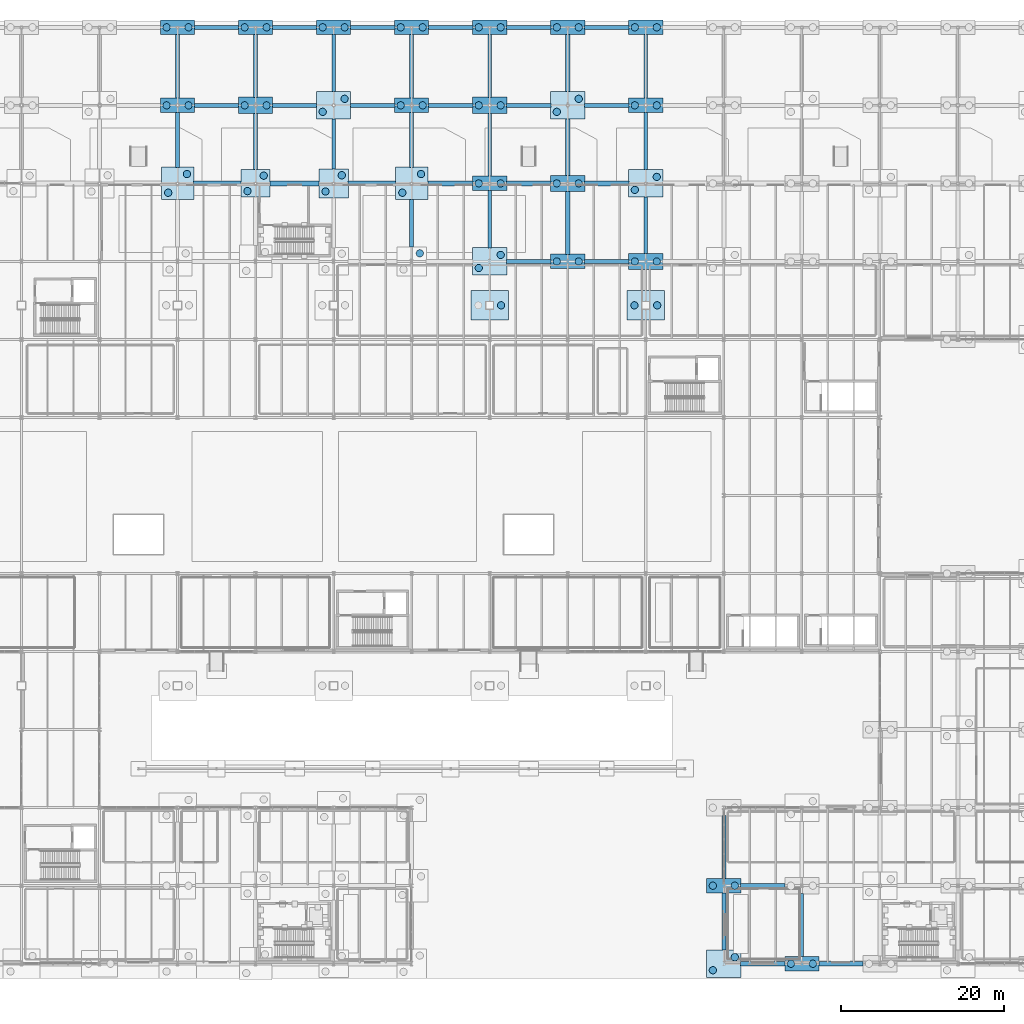
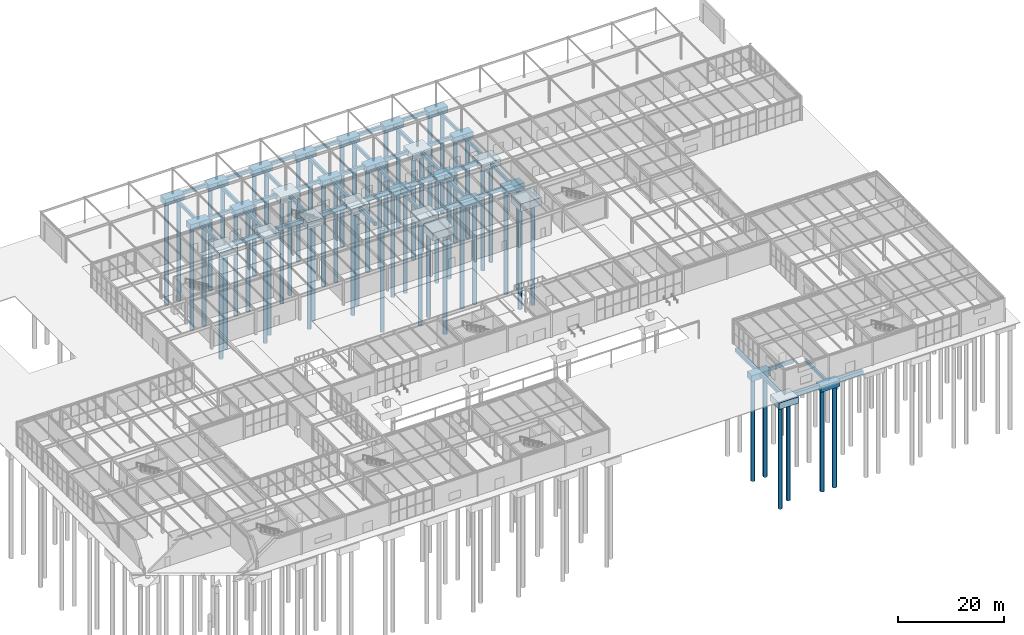
# One storey, part 3 of 142: 73 footings, 58 piles.
"""IFC4 building model written with IfcOpenShell, lengths in metres."""

import ifcopenshell
import ifcopenshell.guid

model = None  # the IFC model being written
_history = None  # IfcOwnerHistory: only IFC2X3 demands one
_inside = {}  # id of a spatial element -> (the spatial element, [elements in it])
_under = {}  # id of a project, library or spatial element -> (it, [spatial elements below it])
_declared = {}  # id of a project -> (the project, [libraries it declares])
_typed = {}  # id of a type object -> (the type object, [elements of that type])
_made_of = {}  # id of a material, layer set ... -> (it, [elements and type objects made of it])


def new_model(schema):
    """Start an empty IFC model of exactly this schema.

    Asked for "IFC4X3", IfcOpenShell would pick the latest addendum, in which some entities
    have other attributes; the version numbers below select the first issue.
    IFC2X3 requires an IfcOwnerHistory on every rooted entity: one is made here for all.
    """
    global model, _history
    if schema == "IFC4X3":
        model = ifcopenshell.file(schema_version=(4, 3, 0, 0))
    else:
        model = ifcopenshell.file(schema=schema)
    _inside.clear()
    _under.clear()
    _declared.clear()
    _typed.clear()
    _made_of.clear()
    _history = None
    if model.schema == "IFC2X3":
        org = make("IfcOrganization", Name="unknown")
        user = make(
            "IfcPersonAndOrganization",
            ThePerson=make("IfcPerson", FamilyName="unknown"),
            TheOrganization=org,
        )
        app = make(
            "IfcApplication",
            ApplicationDeveloper=org,
            Version="unknown",
            ApplicationFullName="unknown",
            ApplicationIdentifier="unknown",
        )
        _history = make(
            "IfcOwnerHistory",
            OwningUser=user,
            OwningApplication=app,
            ChangeAction="ADDED",
            CreationDate=0,
        )
    return model


def make(cls, **values):
    """One entity of the class cls with the attributes given. An attribute that is None is left unset."""
    return model.create_entity(
        cls, **{name: value for name, value in values.items() if value is not None}
    )


def rooted(cls, **values):
    """An entity with a GlobalId (a new one), such as an element, a storey or a relation."""
    return make(cls, GlobalId=ifcopenshell.guid.new(), OwnerHistory=_history, **values)


def si_unit(unit_type, name, prefix=None):
    """IfcSIUnit, for example si_unit("LENGTHUNIT", "METRE", prefix="MILLI")."""
    return make("IfcSIUnit", UnitType=unit_type, Prefix=prefix, Name=name)


def assignment(units):
    """IfcUnitAssignment: the units of a project."""
    return None if units is None else make("IfcUnitAssignment", Units=units)


def point(xyz):
    """IfcCartesianPoint."""
    return None if xyz is None else make("IfcCartesianPoint", Coordinates=xyz)


def direction(xyz):
    """IfcDirection."""
    return None if xyz is None else make("IfcDirection", DirectionRatios=xyz)


def frame(location, z_axis=None, x_axis=None):
    """IfcAxis2Placement3D, a coordinate frame: its origin and axes. An axis left out is left unset."""
    return make(
        "IfcAxis2Placement3D",
        Location=point(location),
        Axis=direction(z_axis),
        RefDirection=direction(x_axis),
    )


def frame_2d(location, x_axis=None):
    """IfcAxis2Placement2D, a coordinate frame in the plane: its origin and x axis."""
    return make(
        "IfcAxis2Placement2D", Location=point(location), RefDirection=direction(x_axis)
    )


def origin():
    """The frame at (0, 0, 0) with its axes left unset."""
    return frame((0.0, 0.0, 0.0))


def origin_2d():
    """The frame at (0, 0) in the plane with its x axis left unset."""
    return frame_2d((0.0, 0.0))


def place(relative_to, where):
    """IfcLocalPlacement: puts the frame where relative to a parent placement (None: the world)."""
    return make(
        "IfcLocalPlacement", PlacementRelTo=relative_to, RelativePlacement=where
    )


def context(
    kind, dimensions, precision=None, world=None, true_north=None, identifier=None
):
    """IfcGeometricRepresentationContext, for example the 3D "Model" context."""
    return make(
        "IfcGeometricRepresentationContext",
        ContextIdentifier=identifier,
        ContextType=kind,
        CoordinateSpaceDimension=dimensions,
        Precision=precision,
        WorldCoordinateSystem=world,
        TrueNorth=true_north,
    )


def subcontext(parent, identifier, kind, view, scale=None):
    """IfcGeometricRepresentationSubContext, for example "Body" below "Model"."""
    return make(
        "IfcGeometricRepresentationSubContext",
        ContextIdentifier=identifier,
        ContextType=kind,
        ParentContext=parent,
        TargetScale=scale,
        TargetView=view,
    )


def project(units=None, contexts=None):
    """IfcProject with its units and contexts."""
    return rooted(
        "IfcProject",
        Name="project",
        RepresentationContexts=contexts,
        UnitsInContext=assignment(units),
    )


def spatial(cls, under=None, at=None, **own):
    """A site, building, storey or space (cls), placed at a placement, below another one or the project."""
    s = rooted(cls, ObjectPlacement=at, **own)
    if under is not None:
        _under.setdefault(under.id(), (under, []))[1].append(s)
    return s


def profile(cls, at=None, kind="AREA", **sizes):
    """A parametric profile (cls). Its sizes go by their IFC names, for example OverallWidth=200.0."""
    return make(cls, ProfileType=kind, Position=at, **sizes)


def rectangle(**sizes):
    """IfcRectangleProfileDef."""
    return profile("IfcRectangleProfileDef", **sizes)


def circle(**sizes):
    """IfcCircleProfileDef."""
    return profile("IfcCircleProfileDef", **sizes)


def extrude(swept, where, along, depth):
    """IfcExtrudedAreaSolid: the profile swept, set in the frame where, extruded along a direction by depth."""
    return make(
        "IfcExtrudedAreaSolid",
        SweptArea=swept,
        Position=where,
        ExtrudedDirection=direction(along),
        Depth=depth,
    )


def shape(context_of_items, identifier, shape_type, items):
    """IfcShapeRepresentation: the items that make up one representation, for example the "Body"."""
    return make(
        "IfcShapeRepresentation",
        ContextOfItems=context_of_items,
        RepresentationIdentifier=identifier,
        RepresentationType=shape_type,
        Items=items,
    )


def material(Name=None, Category=None):
    """IfcMaterial."""
    return make("IfcMaterial", Name=Name, Category=Category)


def material_profile(
    of_material, cross_section, Name=None, Category=None, Priority=None
):
    """IfcMaterialProfile: a cross section and its material."""
    return make(
        "IfcMaterialProfile",
        Name=Name,
        Material=of_material,
        Profile=cross_section,
        Priority=Priority,
        Category=Category,
    )


def profile_set(profiles, Name=None, composite=None):
    """IfcMaterialProfileSet."""
    return make(
        "IfcMaterialProfileSet",
        Name=Name,
        MaterialProfiles=profiles,
        CompositeProfile=composite,
    )


def made_of(thing, what):
    """Note that an element or type object is made of a material, layer set ...; save() writes the relation."""
    if what is not None:
        _made_of.setdefault(what.id(), (what, []))[1].append(thing)
    return thing


def type_object(cls, material=None, **own):
    """A type object (cls), such as IfcWallType, which elements share."""
    return made_of(rooted(cls, **own), material)


def element(
    cls,
    number,
    at=None,
    inside=None,
    cuts=None,
    type_object=None,
    material=None,
    context=None,
    identifier="Body",
    shape_type=None,
    held_by="IfcProductDefinitionShape",
    body=None,
    shapes=None,
    **own,
):
    """One element of the class cls, such as IfcWall. Its Tag is "e" and its number.

    at: its placement. inside: the storey or other place that contains it. cuts: it is an
    opening in that element (IfcRelVoidsElement). A single representation is given by context,
    identifier, shape_type and body (its items); several are given by shapes. held_by: the class
    of the entity that holds the representations. save() writes the other relations.
    """
    e = rooted(cls, Tag="e%d" % number, ObjectPlacement=at, **own)
    if body is not None:
        shapes = [shape(context, identifier, shape_type, body)]
    if shapes is not None:
        e.Representation = make(held_by, Representations=shapes)
    if inside is not None:
        _inside.setdefault(inside.id(), (inside, []))[1].append(e)
    if cuts is not None:
        rooted(
            "IfcRelVoidsElement", RelatingBuildingElement=cuts, RelatedOpeningElement=e
        )
    if type_object is not None:
        _typed.setdefault(type_object.id(), (type_object, []))[1].append(e)
    return made_of(e, material)


def aggregate(whole, parts):
    """IfcRelAggregates: a whole, such as a stair, and the parts it consists of."""
    return rooted("IfcRelAggregates", RelatingObject=whole, RelatedObjects=parts)


def save(model, path):
    """Write the relations noted so far, then the file.

    IfcRelAggregates (storeys below a building ...), IfcRelContainedInSpatialStructure (elements
    in a storey), IfcRelDefinesByType, IfcRelAssociatesMaterial and IfcRelDeclares: one each for
    every whole, place, type object, material and project.
    """
    for whole, parts in _under.values():
        aggregate(whole, parts)
    for where, things in _inside.values():
        rooted(
            "IfcRelContainedInSpatialStructure",
            RelatedElements=things,
            RelatingStructure=where,
        )
    for kind, things in _typed.values():
        rooted("IfcRelDefinesByType", RelatedObjects=things, RelatingType=kind)
    for what, things in _made_of.values():
        rooted("IfcRelAssociatesMaterial", RelatedObjects=things, RelatingMaterial=what)
    for by, libraries in _declared.values():
        rooted("IfcRelDeclares", RelatingContext=by, RelatedDefinitions=libraries)
    model.write(path)


model = new_model("IFC4")

# Units and contexts
model_context = context("Model", 3, precision=1e-05, world=origin(), true_north=direction((0.0, 1.0)))
body_context = subcontext(model_context, "Body", "Model", "MODEL_VIEW")
ifc_project = project(units=[si_unit("LENGTHUNIT", "METRE"), si_unit("AREAUNIT", "SQUARE_METRE"), si_unit("VOLUMEUNIT", "CUBIC_METRE"), si_unit("PLANEANGLEUNIT", "RADIAN"), si_unit("MASSUNIT", "GRAM", prefix="KILO")], contexts=[model_context])

# Site, building, storey
site_placement = place(None, origin())
site = spatial("IfcSite", under=ifc_project, at=site_placement, CompositionType="ELEMENT")
building_placement = place(site_placement, origin())
building = spatial("IfcBuilding", under=site, at=building_placement, Name="Coralgate Yard Interchange", CompositionType="ELEMENT")
storey_placement = place(building_placement, origin())
storey = spatial("IfcBuildingStorey", under=building, at=storey_placement, Name="L00", CompositionType="ELEMENT", Elevation=0.0)

# Footings
ifc_material_1 = material(Name="Concrete C40/50", Category="concrete")
ifc_material_profile_1 = material_profile(ifc_material_1, rectangle(XDim=0.60009765625, YDim=0.89990234375, at=origin_2d()), Name="RC 600x900")
ifc_profile_set_1 = profile_set([ifc_material_profile_1], Name="Concrete C40/50")
footing_type_1 = type_object("IfcFootingType", Name="FTG-GB-1", PredefinedType="FOOTING_BEAM", material=ifc_profile_set_1)
footing_1_placement = place(storey_placement, frame((69.179931640625, 96.0, -0.6298828125), z_axis=(1.0, 0.0, 0.0), x_axis=(0.0, 1.0, 0.0)))
element("IfcFooting", 1, at=footing_1_placement, inside=storey, type_object=footing_type_1, Name="Ground tie-beam X 7-10", PredefinedType="FOOTING_BEAM", context=body_context, shape_type="SweptSolid", body=[
    extrude(rectangle(XDim=0.60009765625, YDim=0.89990234375, at=origin_2d()), origin(), (0.0, 0.0, 1.0), 5.840087890625),
])
footing_2_placement = place(storey_placement, frame((78.580078125, 96.0, -0.6298828125), z_axis=(1.0, 0.0, 0.0), x_axis=(0.0, 1.0, 0.0)))
element("IfcFooting", 2, at=footing_2_placement, inside=storey, type_object=footing_type_1, Name="Ground tie-beam X 8-10", PredefinedType="FOOTING_BEAM", context=body_context, shape_type="SweptSolid", body=[
    extrude(rectangle(XDim=0.60009765625, YDim=0.89990234375, at=origin_2d()), origin(), (0.0, 0.0, 1.0), 6.0400390625),
])
footing_3_placement = place(storey_placement, frame((88.179931640625, 96.0, -0.6298828125), z_axis=(1.0, 0.0, 0.0), x_axis=(0.0, 1.0, 0.0)))
element("IfcFooting", 3, at=footing_3_placement, inside=storey, type_object=footing_type_1, Name="Ground tie-beam X 9-10", PredefinedType="FOOTING_BEAM", context=body_context, shape_type="SweptSolid", body=[
    extrude(rectangle(XDim=0.60009765625, YDim=0.89990234375, at=origin_2d()), origin(), (0.0, 0.0, 1.0), 5.840087890625),
])
footing_4_placement = place(storey_placement, frame((97.97998046875, 96.0, -0.6298828125), z_axis=(1.0, 0.0, 0.0), x_axis=(0.0, 1.0, 0.0)))
element("IfcFooting", 4, at=footing_4_placement, inside=storey, type_object=footing_type_1, Name="Ground tie-beam X 10-10", PredefinedType="FOOTING_BEAM", context=body_context, shape_type="SweptSolid", body=[
    extrude(rectangle(XDim=0.60009765625, YDim=0.89990234375, at=origin_2d()), origin(), (0.0, 0.0, 1.0), 5.5400390625),
])
footing_5_placement = place(storey_placement, frame((107.679931640625, 96.0, -0.6298828125), z_axis=(1.0, 0.0, 0.0), x_axis=(0.0, 1.0, 0.0)))
element("IfcFooting", 5, at=footing_5_placement, inside=storey, type_object=footing_type_1, Name="Ground tie-beam X 11-10", PredefinedType="FOOTING_BEAM", context=body_context, shape_type="SweptSolid", body=[
    extrude(rectangle(XDim=0.60009765625, YDim=0.89990234375, at=origin_2d()), origin(), (0.0, 0.0, 1.0), 5.440185546875),
])
for number, where, z_axis, x_axis, name in (
    (6, (117.280029296875, 96.0, -0.6298828125), (1.0, 0.0, 0.0), (0.0, 1.0, 0.0), "Ground tie-beam X 12-10"),
    (7, (136.47998046875, 0.0, -0.800048828125), (1.0, 0.0, 0.0), (0.0, 1.0, 0.0), "Ground tie-beam X 14-0"),
    (8, (146.080078125, 0.0, -0.800048828125), (1.0, 0.0, 0.0), (0.0, 1.0, 0.0), "Ground tie-beam X 15-0"),
):
    element("IfcFooting", number, at=place(storey_placement, frame(where, z_axis=z_axis, x_axis=x_axis)), inside=storey, type_object=footing_type_1, Name=name, PredefinedType="FOOTING_BEAM", context=body_context, shape_type="SweptSolid", body=[
        extrude(rectangle(XDim=0.60009765625, YDim=0.89990234375, at=origin_2d()), origin(), (0.0, 0.0, 1.0), 5.43994140625),
    ])
ifc_material_profile_2 = material_profile(ifc_material_1, rectangle(XDim=0.5, YDim=0.800048828125, at=origin_2d()), Name="RC 500x800")
ifc_profile_set_2 = profile_set([ifc_material_profile_2], Name="Concrete C40/50")
footing_type_2 = type_object("IfcFootingType", Name="FTG-GB-2", PredefinedType="FOOTING_BEAM", material=ifc_profile_set_2)
for number, where, z_axis, x_axis, name in (
    (9, (69.280029296875, 105.60009765625, -0.580078125), (1.0, 0.0, 0.0), (0.0, 1.0, 0.0), "Ground tie-beam X 7-11"),
    (10, (69.280029296875, 115.199951171875, -0.580078125), (1.0, 0.0, 0.0), (0.0, 1.0, 0.0), "Ground tie-beam X 7-12"),
):
    element("IfcFooting", number, at=place(storey_placement, frame(where, z_axis=z_axis, x_axis=x_axis)), inside=storey, type_object=footing_type_2, Name=name, PredefinedType="FOOTING_BEAM", context=body_context, shape_type="SweptSolid", body=[
        extrude(rectangle(XDim=0.5, YDim=0.800048828125, at=origin_2d()), origin(), (0.0, 0.0, 1.0), 5.43994140625),
    ])
footing_6_placement = place(storey_placement, frame((76.800048828125, 97.679931640625, -0.580078125), z_axis=(0.0, 1.0, 0.0), x_axis=(-1.0, 0.0, 0.0)))
element("IfcFooting", 11, at=footing_6_placement, inside=storey, type_object=footing_type_2, Name="Ground tie-beam Y 8-10", PredefinedType="FOOTING_BEAM", context=body_context, shape_type="SweptSolid", body=[
    extrude(rectangle(XDim=0.5, YDim=0.800048828125, at=origin_2d()), origin(), (0.0, 0.0, 1.0), 6.940185546875),
])
footing_7_placement = place(storey_placement, frame((78.8798828125, 105.60009765625, -0.580078125), z_axis=(1.0, 0.0, 0.0), x_axis=(0.0, 1.0, 0.0)))
element("IfcFooting", 12, at=footing_7_placement, inside=storey, type_object=footing_type_2, Name="Ground tie-beam X 8-11", PredefinedType="FOOTING_BEAM", context=body_context, shape_type="SweptSolid", body=[
    extrude(rectangle(XDim=0.5, YDim=0.800048828125, at=origin_2d()), origin(), (0.0, 0.0, 1.0), 5.440185546875),
])
footing_8_placement = place(storey_placement, frame((76.800048828125, 106.580078125, -0.580078125), z_axis=(0.0, 1.0, 0.0), x_axis=(-1.0, 0.0, 0.0)))
element("IfcFooting", 13, at=footing_8_placement, inside=storey, type_object=footing_type_2, Name="Ground tie-beam Y 8-11", PredefinedType="FOOTING_BEAM", context=body_context, shape_type="SweptSolid", body=[
    extrude(rectangle(XDim=0.5, YDim=0.800048828125, at=origin_2d()), origin(), (0.0, 0.0, 1.0), 7.739990234375),
])
footing_9_placement = place(storey_placement, frame((78.8798828125, 115.199951171875, -0.580078125), z_axis=(1.0, 0.0, 0.0), x_axis=(0.0, 1.0, 0.0)))
element("IfcFooting", 14, at=footing_9_placement, inside=storey, type_object=footing_type_2, Name="Ground tie-beam X 8-12", PredefinedType="FOOTING_BEAM", context=body_context, shape_type="SweptSolid", body=[
    extrude(rectangle(XDim=0.5, YDim=0.800048828125, at=origin_2d()), origin(), (0.0, 0.0, 1.0), 5.440185546875),
])
for number, where, z_axis, x_axis, name in (
    (15, (88.47998046875, 105.60009765625, -0.580078125), (1.0, 0.0, 0.0), (0.0, 1.0, 0.0), "Ground tie-beam X 9-11"),
    (16, (88.47998046875, 115.199951171875, -0.580078125), (1.0, 0.0, 0.0), (0.0, 1.0, 0.0), "Ground tie-beam X 9-12"),
):
    element("IfcFooting", number, at=place(storey_placement, frame(where, z_axis=z_axis, x_axis=x_axis)), inside=storey, type_object=footing_type_2, Name=name, PredefinedType="FOOTING_BEAM", context=body_context, shape_type="SweptSolid", body=[
        extrude(rectangle(XDim=0.5, YDim=0.800048828125, at=origin_2d()), origin(), (0.0, 0.0, 1.0), 5.43994140625),
    ])
footing_10_placement = place(storey_placement, frame((96.0, 88.179931640625, -0.75), z_axis=(0.0, 1.0, 0.0), x_axis=(-1.0, 0.0, 0.0)))
element("IfcFooting", 17, at=footing_10_placement, inside=storey, type_object=footing_type_2, Name="Ground tie-beam Y 10-9", PredefinedType="FOOTING_BEAM", context=body_context, shape_type="SweptSolid", body=[
    extrude(rectangle(XDim=0.5, YDim=0.800048828125, at=origin_2d()), origin(), (0.0, 0.0, 1.0), 5.840087890625),
])
footing_11_placement = place(storey_placement, frame((96.0, 97.97998046875, -0.580078125), z_axis=(0.0, 1.0, 0.0), x_axis=(-1.0, 0.0, 0.0)))
element("IfcFooting", 18, at=footing_11_placement, inside=storey, type_object=footing_type_2, Name="Ground tie-beam Y 10-10", PredefinedType="FOOTING_BEAM", context=body_context, shape_type="SweptSolid", body=[
    extrude(rectangle(XDim=0.5, YDim=0.800048828125, at=origin_2d()), origin(), (0.0, 0.0, 1.0), 6.739990234375),
])
footing_12_placement = place(storey_placement, frame((98.080078125, 105.60009765625, -0.580078125), z_axis=(1.0, 0.0, 0.0), x_axis=(0.0, 1.0, 0.0)))
element("IfcFooting", 19, at=footing_12_placement, inside=storey, type_object=footing_type_2, Name="Ground tie-beam X 10-11", PredefinedType="FOOTING_BEAM", context=body_context, shape_type="SweptSolid", body=[
    extrude(rectangle(XDim=0.5, YDim=0.800048828125, at=origin_2d()), origin(), (0.0, 0.0, 1.0), 5.43994140625),
])
footing_13_placement = place(storey_placement, frame((96.0, 106.47998046875, -0.580078125), z_axis=(0.0, 1.0, 0.0), x_axis=(-1.0, 0.0, 0.0)))
element("IfcFooting", 20, at=footing_13_placement, inside=storey, type_object=footing_type_2, Name="Ground tie-beam Y 10-11", PredefinedType="FOOTING_BEAM", context=body_context, shape_type="SweptSolid", body=[
    extrude(rectangle(XDim=0.5, YDim=0.800048828125, at=origin_2d()), origin(), (0.0, 0.0, 1.0), 7.840087890625),
])
footing_14_placement = place(storey_placement, frame((98.080078125, 115.199951171875, -0.580078125), z_axis=(1.0, 0.0, 0.0), x_axis=(0.0, 1.0, 0.0)))
element("IfcFooting", 21, at=footing_14_placement, inside=storey, type_object=footing_type_2, Name="Ground tie-beam X 10-12", PredefinedType="FOOTING_BEAM", context=body_context, shape_type="SweptSolid", body=[
    extrude(rectangle(XDim=0.5, YDim=0.800048828125, at=origin_2d()), origin(), (0.0, 0.0, 1.0), 5.43994140625),
])
for number, where, z_axis, x_axis, name in (
    (22, (107.679931640625, 86.39990234375, -0.75), (1.0, 0.0, 0.0), (0.0, 1.0, 0.0), "Ground tie-beam X 11-9"),
    (23, (107.679931640625, 105.60009765625, -0.580078125), (1.0, 0.0, 0.0), (0.0, 1.0, 0.0), "Ground tie-beam X 11-11"),
    (24, (107.679931640625, 115.199951171875, -0.580078125), (1.0, 0.0, 0.0), (0.0, 1.0, 0.0), "Ground tie-beam X 11-12"),
):
    element("IfcFooting", number, at=place(storey_placement, frame(where, z_axis=z_axis, x_axis=x_axis)), inside=storey, type_object=footing_type_2, Name=name, PredefinedType="FOOTING_BEAM", context=body_context, shape_type="SweptSolid", body=[
        extrude(rectangle(XDim=0.5, YDim=0.800048828125, at=origin_2d()), origin(), (0.0, 0.0, 1.0), 5.440185546875),
    ])
footing_15_placement = place(storey_placement, frame((117.280029296875, 86.39990234375, -0.75), z_axis=(1.0, 0.0, 0.0), x_axis=(0.0, 1.0, 0.0)))
element("IfcFooting", 25, at=footing_15_placement, inside=storey, type_object=footing_type_2, Name="Ground tie-beam X 12-9", PredefinedType="FOOTING_BEAM", context=body_context, shape_type="SweptSolid", body=[
    extrude(rectangle(XDim=0.5, YDim=0.800048828125, at=origin_2d()), origin(), (0.0, 0.0, 1.0), 5.43994140625),
])
footing_16_placement = place(storey_placement, frame((115.199951171875, 87.280029296875, -0.75), z_axis=(0.0, 1.0, 0.0), x_axis=(-1.0, 0.0, 0.0)))
element("IfcFooting", 26, at=footing_16_placement, inside=storey, type_object=footing_type_2, Name="Ground tie-beam Y 12-9", PredefinedType="FOOTING_BEAM", context=body_context, shape_type="SweptSolid", body=[
    extrude(rectangle(XDim=0.5, YDim=0.800048828125, at=origin_2d()), origin(), (0.0, 0.0, 1.0), 7.739990234375),
])
footing_17_placement = place(storey_placement, frame((115.199951171875, 96.97998046875, -0.580078125), z_axis=(0.0, 1.0, 0.0), x_axis=(-1.0, 0.0, 0.0)))
element("IfcFooting", 27, at=footing_17_placement, inside=storey, type_object=footing_type_2, Name="Ground tie-beam Y 12-10", PredefinedType="FOOTING_BEAM", context=body_context, shape_type="SweptSolid", body=[
    extrude(rectangle(XDim=0.5, YDim=0.800048828125, at=origin_2d()), origin(), (0.0, 0.0, 1.0), 6.93994140625),
])
footing_18_placement = place(storey_placement, frame((117.280029296875, 105.60009765625, -0.580078125), z_axis=(1.0, 0.0, 0.0), x_axis=(0.0, 1.0, 0.0)))
element("IfcFooting", 28, at=footing_18_placement, inside=storey, type_object=footing_type_2, Name="Ground tie-beam X 12-11", PredefinedType="FOOTING_BEAM", context=body_context, shape_type="SweptSolid", body=[
    extrude(rectangle(XDim=0.5, YDim=0.800048828125, at=origin_2d()), origin(), (0.0, 0.0, 1.0), 5.43994140625),
])
footing_19_placement = place(storey_placement, frame((115.199951171875, 107.280029296875, -0.580078125), z_axis=(0.0, 1.0, 0.0), x_axis=(-1.0, 0.0, 0.0)))
element("IfcFooting", 29, at=footing_19_placement, inside=storey, type_object=footing_type_2, Name="Ground tie-beam Y 12-11", PredefinedType="FOOTING_BEAM", context=body_context, shape_type="SweptSolid", body=[
    extrude(rectangle(XDim=0.5, YDim=0.800048828125, at=origin_2d()), origin(), (0.0, 0.0, 1.0), 7.0400390625),
])
footing_20_placement = place(storey_placement, frame((117.280029296875, 115.199951171875, -0.580078125), z_axis=(1.0, 0.0, 0.0), x_axis=(0.0, 1.0, 0.0)))
element("IfcFooting", 30, at=footing_20_placement, inside=storey, type_object=footing_type_2, Name="Ground tie-beam X 12-12", PredefinedType="FOOTING_BEAM", context=body_context, shape_type="SweptSolid", body=[
    extrude(rectangle(XDim=0.5, YDim=0.800048828125, at=origin_2d()), origin(), (0.0, 0.0, 1.0), 5.43994140625),
])
footing_21_placement = place(storey_placement, frame((134.39990234375, 1.679931640625, -0.75), z_axis=(0.0, 1.0, 0.0), x_axis=(-1.0, 0.0, 0.0)))
element("IfcFooting", 31, at=footing_21_placement, inside=storey, type_object=footing_type_2, Name="Ground tie-beam Y 14-0", PredefinedType="FOOTING_BEAM", context=body_context, shape_type="SweptSolid", body=[
    extrude(rectangle(XDim=0.5, YDim=0.800048828125, at=origin_2d()), origin(), (0.0, 0.0, 1.0), 7.0400390625),
])
footing_22_placement = place(storey_placement, frame((136.47998046875, 9.60009765625, -0.75), z_axis=(1.0, 0.0, 0.0), x_axis=(0.0, 1.0, 0.0)))
element("IfcFooting", 32, at=footing_22_placement, inside=storey, type_object=footing_type_2, Name="Ground tie-beam X 14-1", PredefinedType="FOOTING_BEAM", context=body_context, shape_type="SweptSolid", body=[
    extrude(rectangle(XDim=0.5, YDim=0.800048828125, at=origin_2d()), origin(), (0.0, 0.0, 1.0), 5.43994140625),
])
footing_23_placement = place(storey_placement, frame((134.39990234375, 10.47998046875, -0.75), z_axis=(0.0, 1.0, 0.0), x_axis=(-1.0, 0.0, 0.0)))
element("IfcFooting", 33, at=footing_23_placement, inside=storey, type_object=footing_type_2, Name="Ground tie-beam Y 14-1", PredefinedType="FOOTING_BEAM", context=body_context, shape_type="SweptSolid", body=[
    extrude(rectangle(XDim=0.5, YDim=0.800048828125, at=origin_2d()), origin(), (0.0, 0.0, 1.0), 7.739990234375),
])
ifc_material_profile_3 = material_profile(ifc_material_1, rectangle(XDim=0.449951171875, YDim=0.699951171875, at=origin_2d()), Name="RC 450x700")
ifc_profile_set_3 = profile_set([ifc_material_profile_3], Name="Concrete C40/50")
footing_type_3 = type_object("IfcFootingType", Name="FTG-GB-3", PredefinedType="FOOTING_BEAM", material=ifc_profile_set_3)
footing_24_placement = place(storey_placement, frame((67.199951171875, 97.97998046875, -0.530029296875), z_axis=(0.0, 1.0, 0.0), x_axis=(-1.0, 0.0, 0.0)))
element("IfcFooting", 34, at=footing_24_placement, inside=storey, type_object=footing_type_3, Name="Ground tie-beam Y 7-10", PredefinedType="FOOTING_BEAM", context=body_context, shape_type="SweptSolid", body=[
    extrude(rectangle(XDim=0.449951171875, YDim=0.699951171875, at=origin_2d()), origin(), (0.0, 0.0, 1.0), 6.739990234375),
])
footing_25_placement = place(storey_placement, frame((67.199951171875, 106.47998046875, -0.530029296875), z_axis=(0.0, 1.0, 0.0), x_axis=(-1.0, 0.0, 0.0)))
element("IfcFooting", 35, at=footing_25_placement, inside=storey, type_object=footing_type_3, Name="Ground tie-beam Y 7-11", PredefinedType="FOOTING_BEAM", context=body_context, shape_type="SweptSolid", body=[
    extrude(rectangle(XDim=0.449951171875, YDim=0.699951171875, at=origin_2d()), origin(), (0.0, 0.0, 1.0), 7.840087890625),
])
footing_26_placement = place(storey_placement, frame((86.39990234375, 97.780029296875, -0.530029296875), z_axis=(0.0, 1.0, 0.0), x_axis=(-1.0, 0.0, 0.0)))
element("IfcFooting", 36, at=footing_26_placement, inside=storey, type_object=footing_type_3, Name="Ground tie-beam Y 9-10", PredefinedType="FOOTING_BEAM", context=body_context, shape_type="SweptSolid", body=[
    extrude(rectangle(XDim=0.449951171875, YDim=0.699951171875, at=origin_2d()), origin(), (0.0, 0.0, 1.0), 6.139892578125),
])
for number, where, z_axis, x_axis, name in (
    (37, (86.39990234375, 107.280029296875, -0.530029296875), (0.0, 1.0, 0.0), (-1.0, 0.0, 0.0), "Ground tie-beam Y 9-11"),
    (38, (105.60009765625, 88.080078125, -0.699951171875), (0.0, 1.0, 0.0), (-1.0, 0.0, 0.0), "Ground tie-beam Y 11-9"),
):
    element("IfcFooting", number, at=place(storey_placement, frame(where, z_axis=z_axis, x_axis=x_axis)), inside=storey, type_object=footing_type_3, Name=name, PredefinedType="FOOTING_BEAM", context=body_context, shape_type="SweptSolid", body=[
        extrude(rectangle(XDim=0.449951171875, YDim=0.699951171875, at=origin_2d()), origin(), (0.0, 0.0, 1.0), 7.0400390625),
    ])
footing_27_placement = place(storey_placement, frame((105.60009765625, 96.8798828125, -0.530029296875), z_axis=(0.0, 1.0, 0.0), x_axis=(-1.0, 0.0, 0.0)))
element("IfcFooting", 39, at=footing_27_placement, inside=storey, type_object=footing_type_3, Name="Ground tie-beam Y 11-10", PredefinedType="FOOTING_BEAM", context=body_context, shape_type="SweptSolid", body=[
    extrude(rectangle(XDim=0.449951171875, YDim=0.699951171875, at=origin_2d()), origin(), (0.0, 0.0, 1.0), 7.740234375),
])
footing_28_placement = place(storey_placement, frame((105.60009765625, 106.580078125, -0.530029296875), z_axis=(0.0, 1.0, 0.0), x_axis=(-1.0, 0.0, 0.0)))
element("IfcFooting", 40, at=footing_28_placement, inside=storey, type_object=footing_type_3, Name="Ground tie-beam Y 11-11", PredefinedType="FOOTING_BEAM", context=body_context, shape_type="SweptSolid", body=[
    extrude(rectangle(XDim=0.449951171875, YDim=0.699951171875, at=origin_2d()), origin(), (0.0, 0.0, 1.0), 7.739990234375),
])
footing_29_placement = place(storey_placement, frame((124.800048828125, 87.3798828125, -0.699951171875), z_axis=(0.0, 1.0, 0.0), x_axis=(-1.0, 0.0, 0.0)))
element("IfcFooting", 41, at=footing_29_placement, inside=storey, type_object=footing_type_3, Name="Ground tie-beam Y 13-9", PredefinedType="FOOTING_BEAM", context=body_context, shape_type="SweptSolid", body=[
    extrude(rectangle(XDim=0.449951171875, YDim=0.699951171875, at=origin_2d()), origin(), (0.0, 0.0, 1.0), 6.940185546875),
])
footing_30_placement = place(storey_placement, frame((124.800048828125, 97.679931640625, -0.530029296875), z_axis=(0.0, 1.0, 0.0), x_axis=(-1.0, 0.0, 0.0)))
element("IfcFooting", 42, at=footing_30_placement, inside=storey, type_object=footing_type_3, Name="Ground tie-beam Y 13-10", PredefinedType="FOOTING_BEAM", context=body_context, shape_type="SweptSolid", body=[
    extrude(rectangle(XDim=0.449951171875, YDim=0.699951171875, at=origin_2d()), origin(), (0.0, 0.0, 1.0), 7.0400390625),
])
footing_31_placement = place(storey_placement, frame((124.800048828125, 106.47998046875, -0.530029296875), z_axis=(0.0, 1.0, 0.0), x_axis=(-1.0, 0.0, 0.0)))
element("IfcFooting", 43, at=footing_31_placement, inside=storey, type_object=footing_type_3, Name="Ground tie-beam Y 13-11", PredefinedType="FOOTING_BEAM", context=body_context, shape_type="SweptSolid", body=[
    extrude(rectangle(XDim=0.449951171875, YDim=0.699951171875, at=origin_2d()), origin(), (0.0, 0.0, 1.0), 7.840087890625),
])
footing_32_placement = place(storey_placement, frame((144.0, 0.8798828125, -0.699951171875), z_axis=(0.0, 1.0, 0.0), x_axis=(-1.0, 0.0, 0.0)))
element("IfcFooting", 44, at=footing_32_placement, inside=storey, type_object=footing_type_3, Name="Ground tie-beam Y 15-0", PredefinedType="FOOTING_BEAM", context=body_context, shape_type="SweptSolid", body=[
    extrude(rectangle(XDim=0.449951171875, YDim=0.699951171875, at=origin_2d()), origin(), (0.0, 0.0, 1.0), 7.740234375),
])
footing_type_4 = type_object("IfcFootingType", Name="FTG-PC-2A", PredefinedType="PILE_CAP", material=ifc_material_1)
for number, where, z_axis, x_axis, name in (
    (45, (67.199951171875, 105.60009765625, -1.579833984375), (0.0, 0.0, 1.0), (1.0, 0.0, 0.0), "Pile cap 7-11"),
    (46, (67.199951171875, 115.199951171875, -1.579833984375), (0.0, 0.0, 1.0), (1.0, 0.0, 0.0), "Pile cap 7-12"),
    (47, (76.800048828125, 115.199951171875, -1.579833984375), (0.0, 0.0, 1.0), (1.0, 0.0, 0.0), "Pile cap 8-12"),
    (48, (86.39990234375, 115.199951171875, -1.579833984375), (0.0, 0.0, 1.0), (1.0, 0.0, 0.0), "Pile cap 9-12"),
    (49, (96.0, 105.60009765625, -1.579833984375), (0.0, 0.0, 1.0), (1.0, 0.0, 0.0), "Pile cap 10-11"),
    (50, (96.0, 115.199951171875, -1.579833984375), (0.0, 0.0, 1.0), (1.0, 0.0, 0.0), "Pile cap 10-12"),
    (51, (105.60009765625, 96.0, -1.579833984375), (0.0, 0.0, 1.0), (1.0, 0.0, 0.0), "Pile cap 11-10"),
    (52, (105.60009765625, 115.199951171875, -1.579833984375), (0.0, 0.0, 1.0), (1.0, 0.0, 0.0), "Pile cap 11-12"),
    (53, (115.199951171875, 86.39990234375, -1.75), (0.0, 0.0, 1.0), (1.0, 0.0, 0.0), "Pile cap 12-9"),
    (54, (115.199951171875, 115.199951171875, -1.579833984375), (0.0, 0.0, 1.0), (1.0, 0.0, 0.0), "Pile cap 12-12"),
    (55, (124.800048828125, 105.60009765625, -1.579833984375), (0.0, 0.0, 1.0), (1.0, 0.0, 0.0), "Pile cap 13-11"),
    (56, (124.800048828125, 115.199951171875, -1.579833984375), (0.0, 0.0, 1.0), (1.0, 0.0, 0.0), "Pile cap 13-12"),
    (57, (134.39990234375, 9.60009765625, -1.75), (0.0, 0.0, 1.0), (1.0, 0.0, 0.0), "Pile cap 14-1"),
    (58, (144.0, 0.0, -1.75), (0.0, 0.0, 1.0), (1.0, 0.0, 0.0), "Pile cap 15-0"),
):
    element("IfcFooting", number, at=place(storey_placement, frame(where, z_axis=z_axis, x_axis=x_axis)), inside=storey, type_object=footing_type_4, Name=name, PredefinedType="PILE_CAP", context=body_context, shape_type="SweptSolid", body=[
        extrude(rectangle(XDim=4.199951171875, YDim=1.800048828125, at=origin_2d()), origin(), (0.0, 0.0, 1.0), 1.39990234375),
    ])
footing_type_5 = type_object("IfcFootingType", Name="FTG-PC-2B", PredefinedType="PILE_CAP", material=ifc_material_1)
for number, where, z_axis, x_axis, name in (
    (59, (76.800048828125, 105.60009765625, -1.6298828125), (0.0, 0.0, 1.0), (1.0, 0.0, 0.0), "Pile cap 8-11"),
    (60, (105.60009765625, 105.60009765625, -1.6298828125), (0.0, 0.0, 1.0), (1.0, 0.0, 0.0), "Pile cap 11-11"),
    (61, (115.199951171875, 96.0, -1.6298828125), (0.0, 0.0, 1.0), (1.0, 0.0, 0.0), "Pile cap 12-10"),
    (62, (124.800048828125, 86.39990234375, -1.7998046875), (0.0, 0.0, 1.0), (1.0, 0.0, 0.0), "Pile cap 13-9"),
):
    element("IfcFooting", number, at=place(storey_placement, frame(where, z_axis=z_axis, x_axis=x_axis)), inside=storey, type_object=footing_type_5, Name=name, PredefinedType="PILE_CAP", context=body_context, shape_type="SweptSolid", body=[
        extrude(rectangle(XDim=4.199951171875, YDim=2.0, at=origin_2d()), origin(), (0.0, 0.0, 1.0), 1.449951171875),
    ])
footing_type_6 = type_object("IfcFootingType", Name="FTG-PC-3A", PredefinedType="PILE_CAP", material=ifc_material_1)
for number, where, z_axis, x_axis, name in (
    (63, (86.39990234375, 105.60009765625, -1.679931640625), (0.0, 0.0, 1.0), (1.0, 0.0, 0.0), "Pile cap 9-11"),
    (64, (105.60009765625, 86.39990234375, -1.85009765625), (0.0, 0.0, 1.0), (1.0, 0.0, 0.0), "Pile cap 11-9"),
    (65, (115.199951171875, 105.60009765625, -1.679931640625), (0.0, 0.0, 1.0), (1.0, 0.0, 0.0), "Pile cap 12-11"),
    (66, (124.800048828125, 96.0, -1.679931640625), (0.0, 0.0, 1.0), (1.0, 0.0, 0.0), "Pile cap 13-10"),
    (67, (134.39990234375, 0.0, -1.85009765625), (0.0, 0.0, 1.0), (1.0, 0.0, 0.0), "Pile cap 14-0"),
):
    element("IfcFooting", number, at=place(storey_placement, frame(where, z_axis=z_axis, x_axis=x_axis)), inside=storey, type_object=footing_type_6, Name=name, PredefinedType="PILE_CAP", context=body_context, shape_type="SweptSolid", body=[
        extrude(rectangle(XDim=4.199951171875, YDim=3.39990234375, at=origin_2d()), origin(), (0.0, 0.0, 1.0), 1.5),
    ])
footing_type_7 = type_object("IfcFootingType", Name="FTG-PC-4A", PredefinedType="PILE_CAP", material=ifc_material_1)
footing_33_placement = place(storey_placement, frame((76.800048828125, 96.0, -1.679931640625), z_axis=(0.0, 0.0, 1.0), x_axis=(1.0, 0.0, 0.0)))
element("IfcFooting", 68, at=footing_33_placement, inside=storey, type_object=footing_type_7, Name="Pile cap 8-10", PredefinedType="PILE_CAP", context=body_context, shape_type="SweptSolid", body=[
    extrude(rectangle(XDim=3.60009765625, YDim=3.39990234375, at=origin_2d()), origin(), (0.0, 0.0, 1.0), 1.5),
])
footing_type_8 = type_object("IfcFootingType", Name="FTG-PC-4B", PredefinedType="PILE_CAP", material=ifc_material_1)
footing_34_placement = place(storey_placement, frame((86.39990234375, 96.0, -1.72998046875), z_axis=(0.0, 0.0, 1.0), x_axis=(1.0, 0.0, 0.0)))
element("IfcFooting", 69, at=footing_34_placement, inside=storey, type_object=footing_type_8, Name="Pile cap 9-10", PredefinedType="PILE_CAP", context=body_context, shape_type="SweptSolid", body=[
    extrude(rectangle(XDim=3.60009765625, YDim=3.60009765625, at=origin_2d()), origin(), (0.0, 0.0, 1.0), 1.550048828125),
])
footing_type_9 = type_object("IfcFootingType", Name="FTG-PC-4C", PredefinedType="PILE_CAP", material=ifc_material_1)
for number, where, z_axis, x_axis, name in (
    (70, (67.199951171875, 96.0, -1.780029296875), (0.0, 0.0, 1.0), (1.0, 0.0, 0.0), "Pile cap 7-10"),
    (71, (96.0, 96.0, -1.780029296875), (0.0, 0.0, 1.0), (1.0, 0.0, 0.0), "Pile cap 10-10"),
):
    element("IfcFooting", number, at=place(storey_placement, frame(where, z_axis=z_axis, x_axis=x_axis)), inside=storey, type_object=footing_type_9, Name=name, PredefinedType="PILE_CAP", context=body_context, shape_type="SweptSolid", body=[
        extrude(rectangle(XDim=4.0, YDim=4.0, at=origin_2d()), origin(), (0.0, 0.0, 1.0), 1.60009765625),
    ])
footing_type_10 = type_object("IfcFootingType", Name="FTG-PC-6B", PredefinedType="PILE_CAP", material=ifc_material_1)
for number, where, z_axis, x_axis, name in (
    (72, (105.60009765625, 81.0, -1.75), (0.0, 0.0, 1.0), (1.0, 0.0, 0.0), "Arch AR-4 N thrust pile cap"),
    (73, (124.800048828125, 81.0, -1.75), (0.0, 0.0, 1.0), (1.0, 0.0, 0.0), "Arch AR-5 N thrust pile cap"),
):
    element("IfcFooting", number, at=place(storey_placement, frame(where, z_axis=z_axis, x_axis=x_axis)), inside=storey, type_object=footing_type_10, Name=name, PredefinedType="PILE_CAP", context=body_context, shape_type="SweptSolid", body=[
        extrude(rectangle(XDim=4.60009765625, YDim=3.60009765625, at=origin_2d()), origin(), (0.0, 0.0, 1.0), 1.75),
    ])

# Piles
ifc_material_2 = material(Name="Concrete C35/45", Category="concrete")
ifc_material_profile_4 = material_profile(ifc_material_2, circle(Radius=0.449951171875, at=origin_2d()), Name="BORED PILE D900")
ifc_profile_set_4 = profile_set([ifc_material_profile_4], Name="Concrete C35/45")
pile_type = type_object("IfcPileType", Name="PILE-P-900", PredefinedType="BORED", material=ifc_profile_set_4)
for number, where, z_axis, x_axis, name in (
    (74, (66.050048828125, 94.85009765625, -1.679931640625), (0.0, 0.0, -1.0), (1.0, 0.0, 0.0), "Bored pile 7-10-1"),
    (75, (68.35009765625, 97.14990234375, -1.679931640625), (0.0, 0.0, -1.0), (1.0, 0.0, 0.0), "Bored pile 7-10-2"),
    (76, (65.85009765625, 105.60009765625, -1.47998046875), (0.0, 0.0, -1.0), (1.0, 0.0, 0.0), "Bored pile 7-11-1"),
    (77, (68.550048828125, 105.60009765625, -1.47998046875), (0.0, 0.0, -1.0), (1.0, 0.0, 0.0), "Bored pile 7-11-2"),
    (78, (65.85009765625, 115.199951171875, -1.47998046875), (0.0, 0.0, -1.0), (1.0, 0.0, 0.0), "Bored pile 7-12-1"),
    (79, (68.550048828125, 115.199951171875, -1.47998046875), (0.0, 0.0, -1.0), (1.0, 0.0, 0.0), "Bored pile 7-12-2"),
    (80, (75.800048828125, 95.050048828125, -1.580078125), (0.0, 0.0, -1.0), (1.0, 0.0, 0.0), "Bored pile 8-10-1"),
    (81, (77.800048828125, 96.949951171875, -1.580078125), (0.0, 0.0, -1.0), (1.0, 0.0, 0.0), "Bored pile 8-10-2"),
    (82, (75.449951171875, 105.60009765625, -1.530029296875), (0.0, 0.0, -1.0), (1.0, 0.0, 0.0), "Bored pile 8-11-1"),
    (83, (78.14990234375, 105.60009765625, -1.530029296875), (0.0, 0.0, -1.0), (1.0, 0.0, 0.0), "Bored pile 8-11-2"),
    (84, (75.449951171875, 115.199951171875, -1.47998046875), (0.0, 0.0, -1.0), (1.0, 0.0, 0.0), "Bored pile 8-12-1"),
    (85, (78.14990234375, 115.199951171875, -1.47998046875), (0.0, 0.0, -1.0), (1.0, 0.0, 0.0), "Bored pile 8-12-2"),
    (86, (85.39990234375, 95.0, -1.6298828125), (0.0, 0.0, -1.0), (1.0, 0.0, 0.0), "Bored pile 9-10-1"),
    (87, (87.39990234375, 97.0, -1.6298828125), (0.0, 0.0, -1.0), (1.0, 0.0, 0.0), "Bored pile 9-10-2"),
    (88, (85.050048828125, 104.800048828125, -1.580078125), (0.0, 0.0, -1.0), (1.0, 0.0, 0.0), "Bored pile 9-11-1"),
    (89, (87.75, 106.39990234375, -1.580078125), (0.0, 0.0, -1.0), (1.0, 0.0, 0.0), "Bored pile 9-11-2"),
    (90, (85.050048828125, 115.199951171875, -1.47998046875), (0.0, 0.0, -1.0), (1.0, 0.0, 0.0), "Bored pile 9-12-1"),
    (91, (87.75, 115.199951171875, -1.47998046875), (0.0, 0.0, -1.0), (1.0, 0.0, 0.0), "Bored pile 9-12-2"),
    (92, (97.0, 87.39990234375, -1.800048828125), (0.0, 0.0, -1.0), (1.0, 0.0, 0.0), "Bored pile 10-9-2"),
    (93, (94.85009765625, 94.85009765625, -1.679931640625), (0.0, 0.0, -1.0), (1.0, 0.0, 0.0), "Bored pile 10-10-1"),
    (94, (97.14990234375, 97.14990234375, -1.679931640625), (0.0, 0.0, -1.0), (1.0, 0.0, 0.0), "Bored pile 10-10-2"),
    (95, (94.64990234375, 105.60009765625, -1.47998046875), (0.0, 0.0, -1.0), (1.0, 0.0, 0.0), "Bored pile 10-11-1"),
    (96, (97.35009765625, 105.60009765625, -1.47998046875), (0.0, 0.0, -1.0), (1.0, 0.0, 0.0), "Bored pile 10-11-2"),
    (97, (94.64990234375, 115.199951171875, -1.47998046875), (0.0, 0.0, -1.0), (1.0, 0.0, 0.0), "Bored pile 10-12-1"),
    (98, (97.35009765625, 115.199951171875, -1.47998046875), (0.0, 0.0, -1.0), (1.0, 0.0, 0.0), "Bored pile 10-12-2"),
    (99, (104.25, 85.60009765625, -1.75), (0.0, 0.0, -1.0), (1.0, 0.0, 0.0), "Bored pile 11-9-1"),
    (100, (106.949951171875, 87.199951171875, -1.75), (0.0, 0.0, -1.0), (1.0, 0.0, 0.0), "Bored pile 11-9-2"),
    (101, (104.25, 96.0, -1.47998046875), (0.0, 0.0, -1.0), (1.0, 0.0, 0.0), "Bored pile 11-10-1"),
    (102, (106.949951171875, 96.0, -1.47998046875), (0.0, 0.0, -1.0), (1.0, 0.0, 0.0), "Bored pile 11-10-2"),
    (103, (104.25, 105.60009765625, -1.530029296875), (0.0, 0.0, -1.0), (1.0, 0.0, 0.0), "Bored pile 11-11-1"),
    (104, (106.949951171875, 105.60009765625, -1.530029296875), (0.0, 0.0, -1.0), (1.0, 0.0, 0.0), "Bored pile 11-11-2"),
    (105, (104.25, 115.199951171875, -1.47998046875), (0.0, 0.0, -1.0), (1.0, 0.0, 0.0), "Bored pile 11-12-1"),
    (106, (106.949951171875, 115.199951171875, -1.47998046875), (0.0, 0.0, -1.0), (1.0, 0.0, 0.0), "Bored pile 11-12-2"),
    (107, (113.85009765625, 86.39990234375, -1.64990234375), (0.0, 0.0, -1.0), (1.0, 0.0, 0.0), "Bored pile 12-9-1"),
    (108, (116.550048828125, 86.39990234375, -1.64990234375), (0.0, 0.0, -1.0), (1.0, 0.0, 0.0), "Bored pile 12-9-2"),
    (109, (113.85009765625, 96.0, -1.530029296875), (0.0, 0.0, -1.0), (1.0, 0.0, 0.0), "Bored pile 12-10-1"),
    (110, (116.550048828125, 96.0, -1.530029296875), (0.0, 0.0, -1.0), (1.0, 0.0, 0.0), "Bored pile 12-10-2"),
    (111, (113.85009765625, 104.800048828125, -1.580078125), (0.0, 0.0, -1.0), (1.0, 0.0, 0.0), "Bored pile 12-11-1"),
    (112, (116.550048828125, 106.39990234375, -1.580078125), (0.0, 0.0, -1.0), (1.0, 0.0, 0.0), "Bored pile 12-11-2"),
    (113, (113.85009765625, 115.199951171875, -1.47998046875), (0.0, 0.0, -1.0), (1.0, 0.0, 0.0), "Bored pile 12-12-1"),
    (114, (116.550048828125, 115.199951171875, -1.47998046875), (0.0, 0.0, -1.0), (1.0, 0.0, 0.0), "Bored pile 12-12-2"),
    (115, (123.449951171875, 86.39990234375, -1.699951171875), (0.0, 0.0, -1.0), (1.0, 0.0, 0.0), "Bored pile 13-9-1"),
    (116, (126.14990234375, 86.39990234375, -1.699951171875), (0.0, 0.0, -1.0), (1.0, 0.0, 0.0), "Bored pile 13-9-2"),
    (117, (123.449951171875, 95.199951171875, -1.580078125), (0.0, 0.0, -1.0), (1.0, 0.0, 0.0), "Bored pile 13-10-1"),
    (118, (126.14990234375, 96.800048828125, -1.580078125), (0.0, 0.0, -1.0), (1.0, 0.0, 0.0), "Bored pile 13-10-2"),
    (119, (123.449951171875, 105.60009765625, -1.47998046875), (0.0, 0.0, -1.0), (1.0, 0.0, 0.0), "Bored pile 13-11-1"),
    (120, (126.14990234375, 105.60009765625, -1.47998046875), (0.0, 0.0, -1.0), (1.0, 0.0, 0.0), "Bored pile 13-11-2"),
    (121, (123.449951171875, 115.199951171875, -1.47998046875), (0.0, 0.0, -1.0), (1.0, 0.0, 0.0), "Bored pile 13-12-1"),
    (122, (126.14990234375, 115.199951171875, -1.47998046875), (0.0, 0.0, -1.0), (1.0, 0.0, 0.0), "Bored pile 13-12-2"),
    (123, (133.050048828125, -0.800048828125, -1.75), (0.0, 0.0, -1.0), (1.0, 0.0, 0.0), "Bored pile 14-0-1"),
    (124, (135.75, 0.800048828125, -1.75), (0.0, 0.0, -1.0), (1.0, 0.0, 0.0), "Bored pile 14-0-2"),
    (125, (133.050048828125, 9.60009765625, -1.64990234375), (0.0, 0.0, -1.0), (1.0, 0.0, 0.0), "Bored pile 14-1-1"),
    (126, (135.75, 9.60009765625, -1.64990234375), (0.0, 0.0, -1.0), (1.0, 0.0, 0.0), "Bored pile 14-1-2"),
    (127, (142.64990234375, 0.0, -1.64990234375), (0.0, 0.0, -1.0), (1.0, 0.0, 0.0), "Bored pile 15-0-1"),
    (128, (145.35009765625, 0.0, -1.64990234375), (0.0, 0.0, -1.0), (1.0, 0.0, 0.0), "Bored pile 15-0-2"),
):
    element("IfcPile", number, at=place(storey_placement, frame(where, z_axis=z_axis, x_axis=x_axis)), inside=storey, type_object=pile_type, Name=name, PredefinedType="BORED", context=body_context, shape_type="SweptSolid", body=[
        extrude(circle(Radius=0.449951171875, at=origin_2d()), origin(), (0.0, 0.0, 1.0), 23.60009765625),
    ])
for number, where, z_axis, x_axis, name in (
    (129, (107.0, 81.0, -1.64990234375), (0.0, 0.0, -1.0), (1.0, 0.0, 0.0), "Arch AR-4 N bored pile 2"),
    (130, (123.39990234375, 81.0, -1.64990234375), (0.0, 0.0, -1.0), (1.0, 0.0, 0.0), "Arch AR-5 N bored pile 1"),
    (131, (126.199951171875, 81.0, -1.64990234375), (0.0, 0.0, -1.0), (1.0, 0.0, 0.0), "Arch AR-5 N bored pile 2"),
):
    element("IfcPile", number, at=place(storey_placement, frame(where, z_axis=z_axis, x_axis=x_axis)), inside=storey, type_object=pile_type, Name=name, PredefinedType="BORED", context=body_context, shape_type="SweptSolid", body=[
        extrude(circle(Radius=0.449951171875, at=origin_2d()), origin(), (0.0, 0.0, 1.0), 23.85009765625),
    ])

save(model, "model.ifc")
